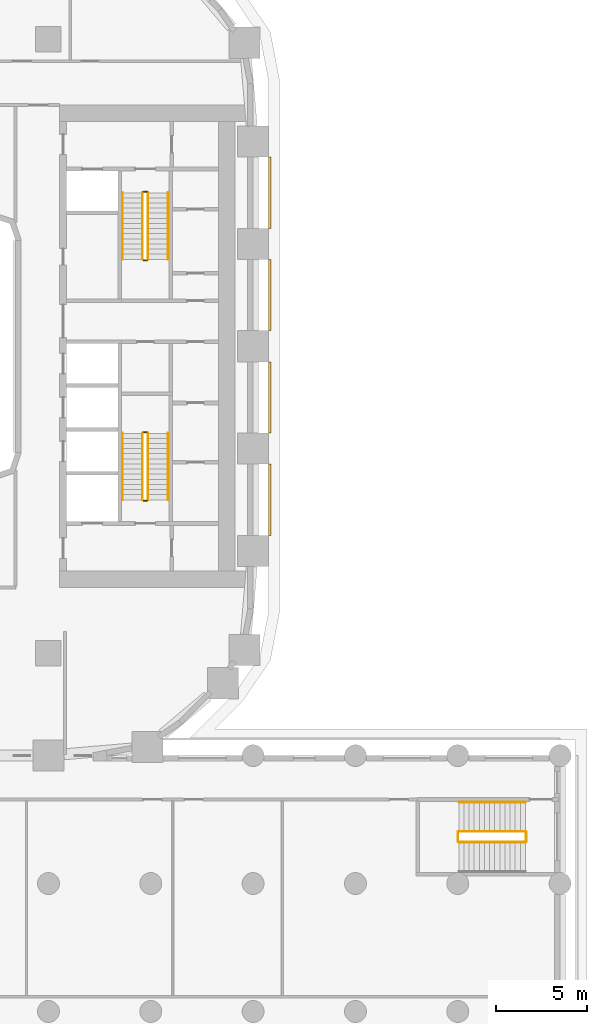
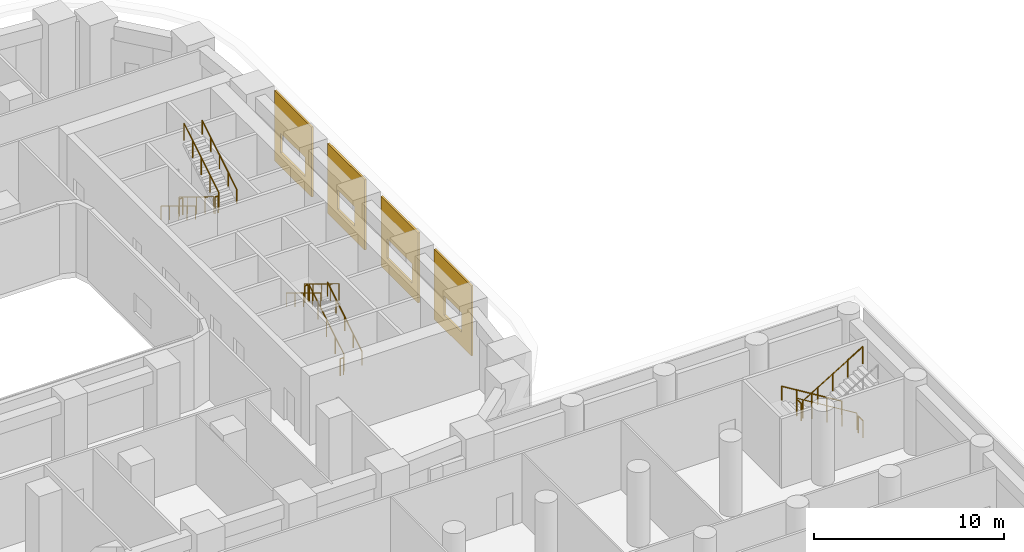
# One storey, part 23 of 24: 17 railings, 4 coverings.
"""IFC4 building model written with IfcOpenShell, lengths in metres."""

from ifc_helpers import new_model, si_unit, direction, frame, origin, origin_2d, place, context, subcontext, project, spatial, polyline, circle, outline, extrude, material, layer, layer_set, type_object, element, save


model = new_model("IFC4")

# Units and contexts
model_context = context("Model", 3, precision=1e-05, world=origin(), true_north=direction((0.0, 1.0)))
body_context = subcontext(model_context, "Body", "Model", "MODEL_VIEW")
ifc_project = project(units=[si_unit("LENGTHUNIT", "METRE"), si_unit("AREAUNIT", "SQUARE_METRE"), si_unit("VOLUMEUNIT", "CUBIC_METRE"), si_unit("PLANEANGLEUNIT", "RADIAN"), si_unit("MASSUNIT", "GRAM", prefix="KILO")], contexts=[model_context])

# Site, building, storey
site_placement = place(None, origin())
site = spatial("IfcSite", under=ifc_project, at=site_placement, CompositionType="ELEMENT")
building_placement = place(site_placement, origin())
building = spatial("IfcBuilding", under=site, at=building_placement, Name="Kiln Ring Residences", CompositionType="ELEMENT")
storey_placement = place(building_placement, frame((0.0, 0.0, 11.300048828125)))
storey = spatial("IfcBuildingStorey", under=building, at=storey_placement, Name="L02", CompositionType="ELEMENT", Elevation=11.300048828125)

# Railings
ifc_material_1 = material(Name="Stainless steel", Category="steel")
railing_type_1 = type_object("IfcRailingType", Name="CORE-STAIR-GUARD", PredefinedType="GUARDRAIL", material=ifc_material_1)
railing_1_placement = place(storey_placement, frame((21.949951171875, 8.39990234375, 0.17138671875)))
element("IfcRailing", 1, at=railing_1_placement, inside=storey, type_object=railing_type_1, Name="L02 E-STN stair guard 1", PredefinedType="GUARDRAIL", context=body_context, shape_type="SweptSolid", body=[
    extrude(circle(Radius=0.02392578125, at=origin_2d()), frame((0.0, 0.0, 1.076171875), z_axis=(0.0, -0.852850264322, 0.5221555579), x_axis=(1.0, 0.0, 0.0)), (0.0, 0.0, 1.0), 4.267822265625),
    extrude(circle(Radius=0.02099609375, at=origin_2d()), origin(), (0.0, 0.0, 1.0), 1.052001953125),
    extrude(circle(Radius=0.02099609375, at=origin_2d()), frame((0.0, -0.909912109375, 0.55712890625)), (0.0, 0.0, 1.0), 1.052001953125),
    extrude(circle(Radius=0.02099609375, at=origin_2d()), frame((0.0, -1.81982421875, 1.1142578125)), (0.0, 0.0, 1.0), 1.052001953125),
    extrude(circle(Radius=0.02099609375, at=origin_2d()), frame((0.0, -2.72998046875, 1.67138671875)), (0.0, 0.0, 1.0), 1.052001953125),
    extrude(circle(Radius=0.02099609375, at=origin_2d()), frame((0.0, -3.639892578125, 2.228515625)), (0.0, 0.0, 1.0), 1.052001953125),
])
railing_2_placement = place(storey_placement, frame((22.0, 4.7099609375, 2.39990234375)))
element("IfcRailing", 2, at=railing_2_placement, inside=storey, type_object=railing_type_1, Name="L02 E-STN stair guard 2", PredefinedType="GUARDRAIL", context=body_context, shape_type="SweptSolid", body=[
    extrude(circle(Radius=0.02392578125, at=origin_2d()), frame((0.0, 0.0, 1.076171875), z_axis=(1.0, 0.0, 0.0), x_axis=(0.0, 1.0, 0.0)), (0.0, 0.0, 1.0), 0.199951171875),
    extrude(circle(Radius=0.02099609375, at=origin_2d()), origin(), (0.0, 0.0, 1.0), 1.052001953125),
    extrude(circle(Radius=0.02099609375, at=origin_2d()), frame((0.199951171875, 0.0, 0.0)), (0.0, 0.0, 1.0), 1.052001953125),
])
railing_3_placement = place(storey_placement, frame((22.25, 4.760009765625, 2.5712890625)))
element("IfcRailing", 3, at=railing_3_placement, inside=storey, type_object=railing_type_1, Name="L02 E-STN stair guard 3", PredefinedType="GUARDRAIL", context=body_context, shape_type="SweptSolid", body=[
    extrude(circle(Radius=0.02392578125, at=origin_2d()), frame((0.0, 0.0, 1.076171875), z_axis=(0.0, 0.852824790078, 0.522197163366), x_axis=(-1.0, 0.0, 0.0)), (0.0, 0.0, 1.0), 4.26806640625),
    extrude(circle(Radius=0.02099609375, at=origin_2d()), origin(), (0.0, 0.0, 1.0), 1.052001953125),
    extrude(circle(Radius=0.02099609375, at=origin_2d()), frame((0.0, 0.909912109375, 0.55712890625)), (0.0, 0.0, 1.0), 1.052001953125),
    extrude(circle(Radius=0.02099609375, at=origin_2d()), frame((0.0, 1.81982421875, 1.1142578125)), (0.0, 0.0, 1.0), 1.052001953125),
    extrude(circle(Radius=0.02099609375, at=origin_2d()), frame((0.0, 2.72998046875, 1.671630859375)), (0.0, 0.0, 1.0), 1.052001953125),
    extrude(circle(Radius=0.02099609375, at=origin_2d()), frame((0.0, 3.639892578125, 2.228759765625)), (0.0, 0.0, 1.0), 1.052001953125),
])
railing_4_placement = place(storey_placement, frame((22.0, 8.449951171875, 0.0)))
element("IfcRailing", 4, at=railing_4_placement, inside=storey, type_object=railing_type_1, Name="L02 E-STN stair guard 4", PredefinedType="GUARDRAIL", context=body_context, shape_type="SweptSolid", body=[
    extrude(circle(Radius=0.02392578125, at=origin_2d()), frame((0.0, 0.0, 1.076171875), z_axis=(1.0, 0.0, 0.0), x_axis=(0.0, 1.0, 0.0)), (0.0, 0.0, 1.0), 0.199951171875),
    extrude(circle(Radius=0.02099609375, at=origin_2d()), origin(), (0.0, 0.0, 1.0), 1.052001953125),
    extrude(circle(Radius=0.02099609375, at=origin_2d()), frame((0.199951171875, 0.0, 0.0)), (0.0, 0.0, 1.0), 1.052001953125),
])
railing_5_placement = place(storey_placement, frame((22.25, -8.39990234375, 0.17138671875)))
element("IfcRailing", 5, at=railing_5_placement, inside=storey, type_object=railing_type_1, Name="L02 E-STS stair guard 1", PredefinedType="GUARDRAIL", context=body_context, shape_type="SweptSolid", body=[
    extrude(circle(Radius=0.02392578125, at=origin_2d()), frame((0.0, 0.0, 1.076171875), z_axis=(0.0, 0.852850264322, 0.5221555579), x_axis=(-1.0, 0.0, 0.0)), (0.0, 0.0, 1.0), 4.267822265625),
    extrude(circle(Radius=0.02099609375, at=origin_2d()), origin(), (0.0, 0.0, 1.0), 1.052001953125),
    extrude(circle(Radius=0.02099609375, at=origin_2d()), frame((0.0, 0.909912109375, 0.55712890625)), (0.0, 0.0, 1.0), 1.052001953125),
    extrude(circle(Radius=0.02099609375, at=origin_2d()), frame((0.0, 1.81982421875, 1.1142578125)), (0.0, 0.0, 1.0), 1.052001953125),
    extrude(circle(Radius=0.02099609375, at=origin_2d()), frame((0.0, 2.72998046875, 1.67138671875)), (0.0, 0.0, 1.0), 1.052001953125),
    extrude(circle(Radius=0.02099609375, at=origin_2d()), frame((0.0, 3.639892578125, 2.228515625)), (0.0, 0.0, 1.0), 1.052001953125),
])
railing_6_placement = place(storey_placement, frame((22.199951171875, -4.7099609375, 2.39990234375)))
element("IfcRailing", 6, at=railing_6_placement, inside=storey, type_object=railing_type_1, Name="L02 E-STS stair guard 2", PredefinedType="GUARDRAIL", context=body_context, shape_type="SweptSolid", body=[
    extrude(circle(Radius=0.02392578125, at=origin_2d()), frame((0.0, 0.0, 1.076171875), z_axis=(-1.0, 0.0, 0.0), x_axis=(0.0, -1.0, 0.0)), (0.0, 0.0, 1.0), 0.199951171875),
    extrude(circle(Radius=0.02099609375, at=origin_2d()), origin(), (0.0, 0.0, 1.0), 1.052001953125),
    extrude(circle(Radius=0.02099609375, at=origin_2d()), frame((-0.199951171875, 0.0, 0.0)), (0.0, 0.0, 1.0), 1.052001953125),
])
railing_7_placement = place(storey_placement, frame((21.949951171875, -4.760009765625, 2.5712890625)))
element("IfcRailing", 7, at=railing_7_placement, inside=storey, type_object=railing_type_1, Name="L02 E-STS stair guard 3", PredefinedType="GUARDRAIL", context=body_context, shape_type="SweptSolid", body=[
    extrude(circle(Radius=0.02392578125, at=origin_2d()), frame((0.0, 0.0, 1.076171875), z_axis=(0.0, -0.852824790078, 0.522197163366), x_axis=(1.0, 0.0, 0.0)), (0.0, 0.0, 1.0), 4.26806640625),
    extrude(circle(Radius=0.02099609375, at=origin_2d()), origin(), (0.0, 0.0, 1.0), 1.052001953125),
    extrude(circle(Radius=0.02099609375, at=origin_2d()), frame((0.0, -0.909912109375, 0.55712890625)), (0.0, 0.0, 1.0), 1.052001953125),
    extrude(circle(Radius=0.02099609375, at=origin_2d()), frame((0.0, -1.81982421875, 1.1142578125)), (0.0, 0.0, 1.0), 1.052001953125),
    extrude(circle(Radius=0.02099609375, at=origin_2d()), frame((0.0, -2.72998046875, 1.671630859375)), (0.0, 0.0, 1.0), 1.052001953125),
    extrude(circle(Radius=0.02099609375, at=origin_2d()), frame((0.0, -3.639892578125, 2.228759765625)), (0.0, 0.0, 1.0), 1.052001953125),
])
railing_8_placement = place(storey_placement, frame((22.199951171875, -8.449951171875, 0.0)))
element("IfcRailing", 8, at=railing_8_placement, inside=storey, type_object=railing_type_1, Name="L02 E-STS stair guard 4", PredefinedType="GUARDRAIL", context=body_context, shape_type="SweptSolid", body=[
    extrude(circle(Radius=0.02392578125, at=origin_2d()), frame((0.0, 0.0, 1.076171875), z_axis=(-1.0, 0.0, 0.0), x_axis=(0.0, -1.0, 0.0)), (0.0, 0.0, 1.0), 0.199951171875),
    extrude(circle(Radius=0.02099609375, at=origin_2d()), origin(), (0.0, 0.0, 1.0), 1.052001953125),
    extrude(circle(Radius=0.02099609375, at=origin_2d()), frame((-0.199951171875, 0.0, 0.0)), (0.0, 0.0, 1.0), 1.052001953125),
])
ifc_material_2 = material(Name="Stainless steel", Category="steel")
railing_type_2 = type_object("IfcRailingType", Name="CORE-STAIR-HANDRAIL", PredefinedType="HANDRAIL", material=ifc_material_2)
railing_9_placement = place(storey_placement, frame((20.85009765625, 8.39990234375, 0.17138671875)))
element("IfcRailing", 9, at=railing_9_placement, inside=storey, type_object=railing_type_2, Name="L02 E-STN stair handrail 1", PredefinedType="HANDRAIL", context=body_context, shape_type="SweptSolid", body=[
    extrude(circle(Radius=0.02392578125, at=origin_2d()), frame((0.0, 0.0, 0.8759765625), z_axis=(0.0, -0.852850264322, 0.5221555579), x_axis=(1.0, 0.0, 0.0)), (0.0, 0.0, 1.0), 4.267822265625),
    extrude(circle(Radius=0.02099609375, at=origin_2d()), origin(), (0.0, 0.0, 1.0), 0.851806640625),
    extrude(circle(Radius=0.02099609375, at=origin_2d()), frame((0.0, -0.909912109375, 0.55712890625)), (0.0, 0.0, 1.0), 0.851806640625),
    extrude(circle(Radius=0.02099609375, at=origin_2d()), frame((0.0, -1.81982421875, 1.1142578125)), (0.0, 0.0, 1.0), 0.851806640625),
    extrude(circle(Radius=0.02099609375, at=origin_2d()), frame((0.0, -2.72998046875, 1.67138671875)), (0.0, 0.0, 1.0), 0.851806640625),
    extrude(circle(Radius=0.02099609375, at=origin_2d()), frame((0.0, -3.639892578125, 2.228515625)), (0.0, 0.0, 1.0), 0.851806640625),
])
railing_10_placement = place(storey_placement, frame((23.35009765625, 4.760009765625, 2.5712890625)))
element("IfcRailing", 10, at=railing_10_placement, inside=storey, type_object=railing_type_2, Name="L02 E-STN stair handrail 2", PredefinedType="HANDRAIL", context=body_context, shape_type="SweptSolid", body=[
    extrude(circle(Radius=0.02392578125, at=origin_2d()), frame((0.0, 0.0, 0.8759765625), z_axis=(0.0, 0.852824790078, 0.522197163366), x_axis=(-1.0, 0.0, 0.0)), (0.0, 0.0, 1.0), 4.26806640625),
    extrude(circle(Radius=0.02099609375, at=origin_2d()), origin(), (0.0, 0.0, 1.0), 0.851806640625),
    extrude(circle(Radius=0.02099609375, at=origin_2d()), frame((0.0, 0.909912109375, 0.55712890625)), (0.0, 0.0, 1.0), 0.851806640625),
    extrude(circle(Radius=0.02099609375, at=origin_2d()), frame((0.0, 1.81982421875, 1.1142578125)), (0.0, 0.0, 1.0), 0.851806640625),
    extrude(circle(Radius=0.02099609375, at=origin_2d()), frame((0.0, 2.72998046875, 1.671630859375)), (0.0, 0.0, 1.0), 0.851806640625),
    extrude(circle(Radius=0.02099609375, at=origin_2d()), frame((0.0, 3.639892578125, 2.228759765625)), (0.0, 0.0, 1.0), 0.851806640625),
])
railing_11_placement = place(storey_placement, frame((23.35009765625, -8.39990234375, 0.17138671875)))
element("IfcRailing", 11, at=railing_11_placement, inside=storey, type_object=railing_type_2, Name="L02 E-STS stair handrail 1", PredefinedType="HANDRAIL", context=body_context, shape_type="SweptSolid", body=[
    extrude(circle(Radius=0.02392578125, at=origin_2d()), frame((0.0, 0.0, 0.8759765625), z_axis=(0.0, 0.852850264322, 0.5221555579), x_axis=(-1.0, 0.0, 0.0)), (0.0, 0.0, 1.0), 4.267822265625),
    extrude(circle(Radius=0.02099609375, at=origin_2d()), origin(), (0.0, 0.0, 1.0), 0.851806640625),
    extrude(circle(Radius=0.02099609375, at=origin_2d()), frame((0.0, 0.909912109375, 0.55712890625)), (0.0, 0.0, 1.0), 0.851806640625),
    extrude(circle(Radius=0.02099609375, at=origin_2d()), frame((0.0, 1.81982421875, 1.1142578125)), (0.0, 0.0, 1.0), 0.851806640625),
    extrude(circle(Radius=0.02099609375, at=origin_2d()), frame((0.0, 2.72998046875, 1.67138671875)), (0.0, 0.0, 1.0), 0.851806640625),
    extrude(circle(Radius=0.02099609375, at=origin_2d()), frame((0.0, 3.639892578125, 2.228515625)), (0.0, 0.0, 1.0), 0.851806640625),
])
railing_12_placement = place(storey_placement, frame((20.85009765625, -4.760009765625, 2.5712890625)))
element("IfcRailing", 12, at=railing_12_placement, inside=storey, type_object=railing_type_2, Name="L02 E-STS stair handrail 2", PredefinedType="HANDRAIL", context=body_context, shape_type="SweptSolid", body=[
    extrude(circle(Radius=0.02392578125, at=origin_2d()), frame((0.0, 0.0, 0.8759765625), z_axis=(0.0, -0.852824790078, 0.522197163366), x_axis=(1.0, 0.0, 0.0)), (0.0, 0.0, 1.0), 4.26806640625),
    extrude(circle(Radius=0.02099609375, at=origin_2d()), origin(), (0.0, 0.0, 1.0), 0.851806640625),
    extrude(circle(Radius=0.02099609375, at=origin_2d()), frame((0.0, -0.909912109375, 0.55712890625)), (0.0, 0.0, 1.0), 0.851806640625),
    extrude(circle(Radius=0.02099609375, at=origin_2d()), frame((0.0, -1.81982421875, 1.1142578125)), (0.0, 0.0, 1.0), 0.851806640625),
    extrude(circle(Radius=0.02099609375, at=origin_2d()), frame((0.0, -2.72998046875, 1.671630859375)), (0.0, 0.0, 1.0), 0.851806640625),
    extrude(circle(Radius=0.02099609375, at=origin_2d()), frame((0.0, -3.639892578125, 2.228759765625)), (0.0, 0.0, 1.0), 0.851806640625),
])
ifc_material_3 = material(Name="Stainless steel", Category="steel")
railing_type_3 = type_object("IfcRailingType", Name="PODIUM-STAIR-GUARD", PredefinedType="GUARDRAIL", material=ifc_material_3)
railing_13_placement = place(storey_placement, frame((42.89990234375, -26.550048828125, 0.17138671875)))
element("IfcRailing", 13, at=railing_13_placement, inside=storey, type_object=railing_type_3, Name="L02 PS-E stair guard 1", PredefinedType="GUARDRAIL", context=body_context, shape_type="SweptSolid", body=[
    extrude(circle(Radius=0.02392578125, at=origin_2d()), frame((0.0, 0.0, 1.076171875), z_axis=(-0.852850264322, 0.0, 0.5221555579), x_axis=(0.0, -1.0, 0.0)), (0.0, 0.0, 1.0), 4.267822265625),
    extrude(circle(Radius=0.02099609375, at=origin_2d()), origin(), (0.0, 0.0, 1.0), 1.052001953125),
    extrude(circle(Radius=0.02099609375, at=origin_2d()), frame((-0.909912109375, 0.0, 0.55712890625)), (0.0, 0.0, 1.0), 1.052001953125),
    extrude(circle(Radius=0.02099609375, at=origin_2d()), frame((-1.81982421875, 0.0, 1.1142578125)), (0.0, 0.0, 1.0), 1.052001953125),
    extrude(circle(Radius=0.02099609375, at=origin_2d()), frame((-2.72998046875, 0.0, 1.67138671875)), (0.0, 0.0, 1.0), 1.052001953125),
    extrude(circle(Radius=0.02099609375, at=origin_2d()), frame((-3.639892578125, 0.0, 2.228515625)), (0.0, 0.0, 1.0), 1.052001953125),
])
railing_14_placement = place(storey_placement, frame((39.2099609375, -26.60009765625, 2.39990234375)))
element("IfcRailing", 14, at=railing_14_placement, inside=storey, type_object=railing_type_3, Name="L02 PS-E stair guard 2", PredefinedType="GUARDRAIL", context=body_context, shape_type="SweptSolid", body=[
    extrude(circle(Radius=0.02392578125, at=origin_2d()), frame((0.0, 0.0, 1.076171875), z_axis=(0.0, -1.0, 0.0), x_axis=(1.0, 0.0, 0.0)), (0.0, 0.0, 1.0), 0.5),
    extrude(circle(Radius=0.02099609375, at=origin_2d()), origin(), (0.0, 0.0, 1.0), 1.052001953125),
    extrude(circle(Radius=0.02099609375, at=origin_2d()), frame((0.0, -0.5, 0.0)), (0.0, 0.0, 1.0), 1.052001953125),
])
railing_15_placement = place(storey_placement, frame((39.260009765625, -27.14990234375, 2.5712890625)))
element("IfcRailing", 15, at=railing_15_placement, inside=storey, type_object=railing_type_3, Name="L02 PS-E stair guard 3", PredefinedType="GUARDRAIL", context=body_context, shape_type="SweptSolid", body=[
    extrude(circle(Radius=0.02392578125, at=origin_2d()), frame((0.0, 0.0, 1.076171875), z_axis=(0.852824790078, 0.0, 0.522197163366), x_axis=(0.0, 1.0, 0.0)), (0.0, 0.0, 1.0), 4.26806640625),
    extrude(circle(Radius=0.02099609375, at=origin_2d()), origin(), (0.0, 0.0, 1.0), 1.052001953125),
    extrude(circle(Radius=0.02099609375, at=origin_2d()), frame((0.909912109375, 0.0, 0.55712890625)), (0.0, 0.0, 1.0), 1.052001953125),
    extrude(circle(Radius=0.02099609375, at=origin_2d()), frame((1.81982421875, 0.0, 1.1142578125)), (0.0, 0.0, 1.0), 1.052001953125),
    extrude(circle(Radius=0.02099609375, at=origin_2d()), frame((2.72998046875, 0.0, 1.671630859375)), (0.0, 0.0, 1.0), 1.052001953125),
    extrude(circle(Radius=0.02099609375, at=origin_2d()), frame((3.639892578125, 0.0, 2.228759765625)), (0.0, 0.0, 1.0), 1.052001953125),
])
railing_16_placement = place(storey_placement, frame((42.949951171875, -26.60009765625, 0.0)))
element("IfcRailing", 16, at=railing_16_placement, inside=storey, type_object=railing_type_3, Name="L02 PS-E stair guard 4", PredefinedType="GUARDRAIL", context=body_context, shape_type="SweptSolid", body=[
    extrude(circle(Radius=0.02392578125, at=origin_2d()), frame((0.0, 0.0, 1.076171875), z_axis=(0.0, -1.0, 0.0), x_axis=(1.0, 0.0, 0.0)), (0.0, 0.0, 1.0), 0.5),
    extrude(circle(Radius=0.02099609375, at=origin_2d()), origin(), (0.0, 0.0, 1.0), 1.052001953125),
    extrude(circle(Radius=0.02099609375, at=origin_2d()), frame((0.0, -0.5, 0.0)), (0.0, 0.0, 1.0), 1.052001953125),
])
ifc_material_4 = material(Name="Stainless steel", Category="steel")
railing_type_4 = type_object("IfcRailingType", Name="PODIUM-STAIR-HANDRAIL", PredefinedType="HANDRAIL", material=ifc_material_4)
railing_17_placement = place(storey_placement, frame((42.89990234375, -24.949951171875, 0.17138671875)))
element("IfcRailing", 17, at=railing_17_placement, inside=storey, type_object=railing_type_4, Name="L02 PS-E stair handrail 1", PredefinedType="HANDRAIL", context=body_context, shape_type="SweptSolid", body=[
    extrude(circle(Radius=0.02392578125, at=origin_2d()), frame((0.0, 0.0, 0.8759765625), z_axis=(-0.852850264322, 0.0, 0.5221555579), x_axis=(0.0, -1.0, 0.0)), (0.0, 0.0, 1.0), 4.267822265625),
    extrude(circle(Radius=0.02099609375, at=origin_2d()), origin(), (0.0, 0.0, 1.0), 0.851806640625),
    extrude(circle(Radius=0.02099609375, at=origin_2d()), frame((-0.909912109375, 0.0, 0.55712890625)), (0.0, 0.0, 1.0), 0.851806640625),
    extrude(circle(Radius=0.02099609375, at=origin_2d()), frame((-1.81982421875, 0.0, 1.1142578125)), (0.0, 0.0, 1.0), 0.851806640625),
    extrude(circle(Radius=0.02099609375, at=origin_2d()), frame((-2.72998046875, 0.0, 1.67138671875)), (0.0, 0.0, 1.0), 0.851806640625),
    extrude(circle(Radius=0.02099609375, at=origin_2d()), frame((-3.639892578125, 0.0, 2.228515625)), (0.0, 0.0, 1.0), 0.851806640625),
])

# Coverings
ifc_material_5 = material(Name="Brick masonry, dark clay brick", Category="masonry")
ifc_layer = layer(ifc_material_5, 0.1201171875)
ifc_layer_set = layer_set([ifc_layer], Name="RAINSCREEN PANEL 120")
covering_type = type_object("IfcCoveringType", Name="RAINSCREEN PANEL 120", PredefinedType="CLADDING", material=ifc_layer_set)
covering_1_placement = place(storey_placement, frame((28.909912109375, -10.35009765625, 0.0), z_axis=(0.0, 0.0, 1.0), x_axis=(0.0, 1.0, 0.0)))
element("IfcCovering", 18, at=covering_1_placement, inside=storey, type_object=covering_type, Name="RAINSCREEN L02", PredefinedType="CLADDING", context=body_context, shape_type="SweptSolid", body=[
    extrude(outline(polyline([(0.0, 0.0), (3.89990234375, 0.0), (3.89990234375, 4.5), (0.0, 4.5), (0.0, 0.0)]), holes=[polyline([(1.050048828125, 2.14990234375), (1.050048828125, 0.89990234375), (2.85009765625, 0.89990234375), (2.85009765625, 2.14990234375), (1.050048828125, 2.14990234375)])]), frame((0.0, 0.06005859375, 0.0), z_axis=(0.0, -1.0, 0.0), x_axis=(1.0, 0.0, 0.0)), (0.0, 0.0, 1.0), 0.1201171875),
])
covering_2_placement = place(storey_placement, frame((28.909912109375, -4.75, 0.0), z_axis=(0.0, 0.0, 1.0), x_axis=(0.0, 1.0, 0.0)))
element("IfcCovering", 19, at=covering_2_placement, inside=storey, type_object=covering_type, Name="RAINSCREEN L02", PredefinedType="CLADDING", context=body_context, shape_type="SweptSolid", body=[
    extrude(outline(polyline([(0.0, 0.0), (3.89990234375, 0.0), (3.89990234375, 4.5), (0.0, 4.5), (0.0, 0.0)]), holes=[polyline([(0.64990234375, 2.14990234375), (0.64990234375, 0.89990234375), (3.25, 0.89990234375), (3.25, 2.14990234375), (0.64990234375, 2.14990234375)])]), frame((0.0, 0.06005859375, 0.0), z_axis=(0.0, -1.0, 0.0), x_axis=(1.0, 0.0, 0.0)), (0.0, 0.0, 1.0), 0.1201171875),
])
covering_3_placement = place(storey_placement, frame((28.909912109375, 0.85009765625, 0.0), z_axis=(0.0, 0.0, 1.0), x_axis=(0.0, 1.0, 0.0)))
element("IfcCovering", 20, at=covering_3_placement, inside=storey, type_object=covering_type, Name="RAINSCREEN L02", PredefinedType="CLADDING", context=body_context, shape_type="SweptSolid", body=[
    extrude(outline(polyline([(0.0, 0.0), (3.89990234375, 0.0), (3.89990234375, 4.5), (0.0, 4.5), (0.0, 0.0)]), holes=[polyline([(1.050048828125, 2.14990234375), (1.050048828125, 0.89990234375), (2.85009765625, 0.89990234375), (2.85009765625, 2.14990234375), (1.050048828125, 2.14990234375)])]), frame((0.0, 0.06005859375, 0.0), z_axis=(0.0, -1.0, 0.0), x_axis=(1.0, 0.0, 0.0)), (0.0, 0.0, 1.0), 0.1201171875),
])
covering_4_placement = place(storey_placement, frame((28.909912109375, 6.449951171875, 0.0), z_axis=(0.0, 0.0, 1.0), x_axis=(0.0, 1.0, 0.0)))
element("IfcCovering", 21, at=covering_4_placement, inside=storey, type_object=covering_type, Name="RAINSCREEN L02", PredefinedType="CLADDING", context=body_context, shape_type="SweptSolid", body=[
    extrude(outline(polyline([(0.0, 0.0), (3.89990234375, 0.0), (3.89990234375, 4.5), (0.0, 4.5), (0.0, 0.0)]), holes=[polyline([(0.64990234375, 2.14990234375), (0.64990234375, 0.89990234375), (3.25, 0.89990234375), (3.25, 2.14990234375), (0.64990234375, 2.14990234375)])]), frame((0.0, 0.06005859375, 0.0), z_axis=(0.0, -1.0, 0.0), x_axis=(1.0, 0.0, 0.0)), (0.0, 0.0, 1.0), 0.1201171875),
])

save(model, "model.ifc")
